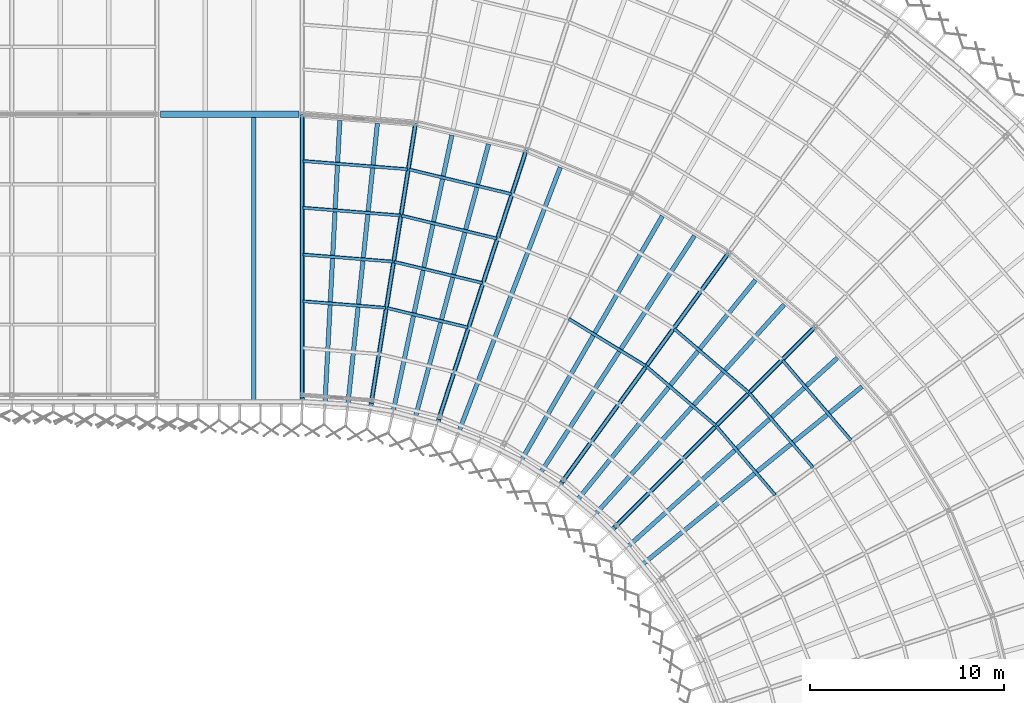
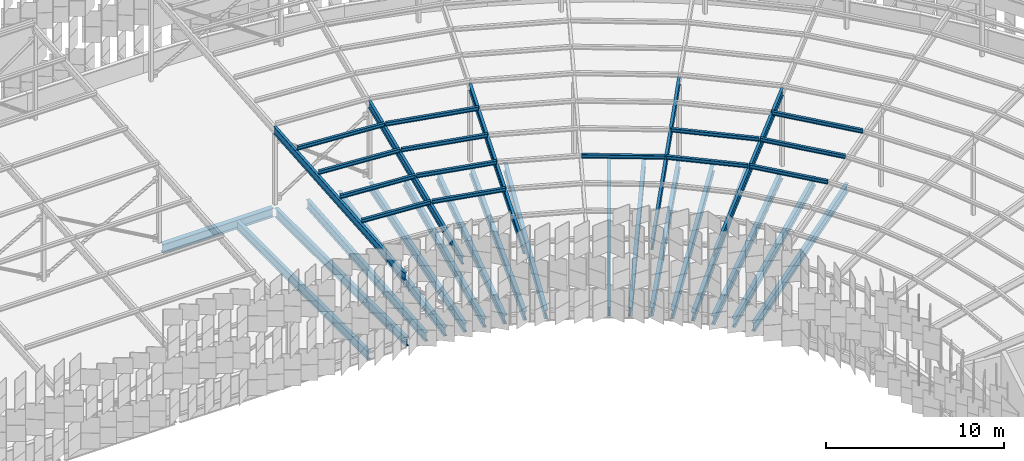
# One storey, part 84 of 483: 19 members, 18 beams.
"""IFC4 building model written with IfcOpenShell, lengths in metres."""

from ifc_helpers import new_model, si_unit, direction, frame, origin, origin_2d, place, context, subcontext, project, spatial, i_section, extrude, material, material_profile, profile_set, type_object, element, save


model = new_model("IFC4")

# Units and contexts
model_context = context("Model", 3, precision=1e-05, world=origin(), true_north=direction((0.0, 1.0)))
body_context = subcontext(model_context, "Body", "Model", "MODEL_VIEW")
ifc_project = project(units=[si_unit("LENGTHUNIT", "METRE"), si_unit("AREAUNIT", "SQUARE_METRE"), si_unit("VOLUMEUNIT", "CUBIC_METRE"), si_unit("PLANEANGLEUNIT", "RADIAN"), si_unit("MASSUNIT", "GRAM", prefix="KILO")], contexts=[model_context])

# Site, building, storey
site_placement = place(None, origin())
site = spatial("IfcSite", under=ifc_project, at=site_placement, CompositionType="ELEMENT")
building_placement = place(site_placement, origin())
building = spatial("IfcBuilding", under=site, at=building_placement, Name="Parallax Yard Mobility Hub", CompositionType="ELEMENT")
storey_placement = place(building_placement, frame((0.0, 0.0, 13.199951171875)))
storey = spatial("IfcBuildingStorey", under=building, at=storey_placement, Name="L04", CompositionType="ELEMENT", Elevation=13.199951171875)

# Members
ifc_material = material(Name="Steel ASTM A992", Category="steel")
ifc_material_profile_1 = material_profile(ifc_material, i_section(OverallWidth=0.14794921875, OverallDepth=0.26611328125, WebThickness=0.007568359375, FlangeThickness=0.012939453125, at=origin_2d()), Name="W250x45")
ifc_profile_set_1 = profile_set([ifc_material_profile_1], Name="Steel ASTM A992")
member_type_1 = type_object("IfcMemberType", Name="Canopy purlin W250x45", PredefinedType="PURLIN", material=ifc_profile_set_1)
member_1_placement = place(storey_placement, frame((172.540771484375, 117.8408203125, 4.688720703125), z_axis=(0.996916930581, -0.078464218091, 0.0), x_axis=(0.078212791542, 0.993722463222, 0.079990157691)))
element("IfcMember", 1, at=member_1_placement, inside=storey, type_object=member_type_1, Name="Canopy purlin sector R0-R1 line 3", PredefinedType="PURLIN", context=body_context, shape_type="SweptSolid", body=[
    extrude(i_section(OverallWidth=0.14794921875, OverallDepth=0.26611328125, WebThickness=0.007568359375, FlangeThickness=0.012939453125, at=origin_2d()), origin(), (0.0, 0.0, 1.0), 4.28759765625),
])
member_2_placement = place(storey_placement, frame((172.540771484375, 120.257568359375, 4.882080078125), z_axis=(0.996916268612, -0.078472628197, 0.0), x_axis=(0.078221174699, 0.993721803374, 0.079990157691)))
element("IfcMember", 2, at=member_2_placement, inside=storey, type_object=member_type_1, Name="Canopy purlin sector R0-R1 line 4", PredefinedType="PURLIN", context=body_context, shape_type="SweptSolid", body=[
    extrude(i_section(OverallWidth=0.14794921875, OverallDepth=0.26611328125, WebThickness=0.007568359375, FlangeThickness=0.012939453125, at=origin_2d()), origin(), (0.0, 0.0, 1.0), 4.666748046875),
])
member_3_placement = place(storey_placement, frame((172.540771484375, 122.67431640625, 5.075439453125), z_axis=(0.99691600404, -0.078475989253, 0.0), x_axis=(0.078224524985, 0.99372153965, 0.079990157691)))
element("IfcMember", 3, at=member_3_placement, inside=storey, type_object=member_type_1, Name="Canopy purlin sector R0-R1 line 5", PredefinedType="PURLIN", context=body_context, shape_type="SweptSolid", body=[
    extrude(i_section(OverallWidth=0.14794921875, OverallDepth=0.26611328125, WebThickness=0.007568359375, FlangeThickness=0.012939453125, at=origin_2d()), origin(), (0.0, 0.0, 1.0), 5.046142578125),
])
member_4_placement = place(storey_placement, frame((172.540771484375, 125.0908203125, 5.2685546875), z_axis=(0.996915499289, -0.078482401064, 0.0), x_axis=(0.07823091625, 0.993721036516, 0.079990157691)))
element("IfcMember", 4, at=member_4_placement, inside=storey, type_object=member_type_1, Name="Canopy purlin sector R0-R1 line 6", PredefinedType="PURLIN", context=body_context, shape_type="SweptSolid", body=[
    extrude(i_section(OverallWidth=0.14794921875, OverallDepth=0.26611328125, WebThickness=0.007568359375, FlangeThickness=0.012939453125, at=origin_2d()), origin(), (0.0, 0.0, 1.0), 5.42529296875),
])
member_5_placement = place(storey_placement, frame((176.8955078125, 117.49169921875, 4.688720703125), z_axis=(0.972367658047, -0.233454787023, 0.0), x_axis=(0.232706716974, 0.969251855065, 0.079990157691)))
element("IfcMember", 5, at=member_5_placement, inside=storey, type_object=member_type_1, Name="Canopy purlin sector R1-R2 line 3", PredefinedType="PURLIN", context=body_context, shape_type="SweptSolid", body=[
    extrude(i_section(OverallWidth=0.14794921875, OverallDepth=0.26611328125, WebThickness=0.007568359375, FlangeThickness=0.012939453125, at=origin_2d()), origin(), (0.0, 0.0, 1.0), 4.28759765625),
])
member_6_placement = place(storey_placement, frame((177.2734375, 119.878662109375, 4.882080078125), z_axis=(0.97237400407, -0.233428353481, 0.0), x_axis=(0.232680368135, 0.969258180753, 0.079990157691)))
element("IfcMember", 6, at=member_6_placement, inside=storey, type_object=member_type_1, Name="Canopy purlin sector R1-R2 line 4", PredefinedType="PURLIN", context=body_context, shape_type="SweptSolid", body=[
    extrude(i_section(OverallWidth=0.14794921875, OverallDepth=0.26611328125, WebThickness=0.007568359375, FlangeThickness=0.012939453125, at=origin_2d()), origin(), (0.0, 0.0, 1.0), 4.666748046875),
])
member_7_placement = place(storey_placement, frame((177.651611328125, 122.265380859375, 5.075439453125), z_axis=(0.972368413759, -0.233451639368, 0.0), x_axis=(0.232703579406, 0.969252608356, 0.079990157691)))
element("IfcMember", 7, at=member_7_placement, inside=storey, type_object=member_type_1, Name="Canopy purlin sector R1-R2 line 5", PredefinedType="PURLIN", context=body_context, shape_type="SweptSolid", body=[
    extrude(i_section(OverallWidth=0.14794921875, OverallDepth=0.26611328125, WebThickness=0.007568359375, FlangeThickness=0.012939453125, at=origin_2d()), origin(), (0.0, 0.0, 1.0), 5.0458984375),
])
member_8_placement = place(storey_placement, frame((178.029541015625, 124.65234375, 5.2685546875), z_axis=(0.972376271966, -0.233418906085, 0.0), x_axis=(0.232670951011, 0.969260441382, 0.079990157691)))
element("IfcMember", 8, at=member_8_placement, inside=storey, type_object=member_type_1, Name="Canopy purlin sector R1-R2 line 6", PredefinedType="PURLIN", context=body_context, shape_type="SweptSolid", body=[
    extrude(i_section(OverallWidth=0.14794921875, OverallDepth=0.26611328125, WebThickness=0.007568359375, FlangeThickness=0.012939453125, at=origin_2d()), origin(), (0.0, 0.0, 1.0), 5.42529296875),
])
for number, where, z_axis, x_axis, name in (
    (9, (186.27294921875, 116.941162109375, 4.882080078125), (0.85262681521, -0.522520347915, 0.0), (0.520846011624, 0.849894703389, 0.079990157691), "Canopy purlin sector R3-R4 line 4"),
    (10, (190.31787109375, 114.454833984375, 4.882080078125), (0.760407587133, -0.649446149754, 0.0), (0.647365099204, 0.75797097768, 0.079990157691), "Canopy purlin sector R4-R5 line 4"),
):
    element("IfcMember", number, at=place(storey_placement, frame(where, z_axis=z_axis, x_axis=x_axis)), inside=storey, type_object=member_type_1, Name=name, PredefinedType="PURLIN", context=body_context, shape_type="SweptSolid", body=[
        extrude(i_section(OverallWidth=0.14794921875, OverallDepth=0.26611328125, WebThickness=0.007568359375, FlangeThickness=0.012939453125, at=origin_2d()), origin(), (0.0, 0.0, 1.0), 4.666748046875),
    ])
member_9_placement = place(storey_placement, frame((191.73828125, 116.409912109375, 5.075439453125), z_axis=(0.760399563218, -0.649455544482, 0.0), x_axis=(0.647374463827, 0.757962979476, 0.079990157691)))
element("IfcMember", 11, at=member_9_placement, inside=storey, type_object=member_type_1, Name="Canopy purlin sector R4-R5 line 5", PredefinedType="PURLIN", context=body_context, shape_type="SweptSolid", body=[
    extrude(i_section(OverallWidth=0.14794921875, OverallDepth=0.26611328125, WebThickness=0.007568359375, FlangeThickness=0.012939453125, at=origin_2d()), origin(), (0.0, 0.0, 1.0), 5.0458984375),
])
member_10_placement = place(storey_placement, frame((193.924072265625, 111.366455078125, 4.882080078125), z_axis=(0.649446149754, -0.760407587133, 0.0), x_axis=(0.75797097768, 0.647365099204, 0.079990157691)))
element("IfcMember", 12, at=member_10_placement, inside=storey, type_object=member_type_1, Name="Canopy purlin sector R5-R6 line 4", PredefinedType="PURLIN", context=body_context, shape_type="SweptSolid", body=[
    extrude(i_section(OverallWidth=0.14794921875, OverallDepth=0.26611328125, WebThickness=0.007568359375, FlangeThickness=0.012939453125, at=origin_2d()), origin(), (0.0, 0.0, 1.0), 4.666748046875),
])
member_11_placement = place(storey_placement, frame((195.6328125, 113.0751953125, 5.075439453125), z_axis=(0.649455544482, -0.760399563218, 0.0), x_axis=(0.757962979476, 0.647374463827, 0.079990157691)))
element("IfcMember", 13, at=member_11_placement, inside=storey, type_object=member_type_1, Name="Canopy purlin sector R5-R6 line 5", PredefinedType="PURLIN", context=body_context, shape_type="SweptSolid", body=[
    extrude(i_section(OverallWidth=0.14794921875, OverallDepth=0.26611328125, WebThickness=0.007568359375, FlangeThickness=0.012939453125, at=origin_2d()), origin(), (0.0, 0.0, 1.0), 5.0458984375),
])
member_12_placement = place(storey_placement, frame((197.341796875, 114.7841796875, 5.2685546875), z_axis=(0.649415380882, -0.760433865023, 0.0), x_axis=(0.757997171367, 0.647334428926, 0.079990157691)))
element("IfcMember", 14, at=member_12_placement, inside=storey, type_object=member_type_1, Name="Canopy purlin sector R5-R6 line 6", PredefinedType="PURLIN", context=body_context, shape_type="SweptSolid", body=[
    extrude(i_section(OverallWidth=0.14794921875, OverallDepth=0.26611328125, WebThickness=0.007568359375, FlangeThickness=0.012939453125, at=origin_2d()), origin(), (0.0, 0.0, 1.0), 5.42529296875),
])
ifc_material_profile_2 = material_profile(ifc_material, i_section(OverallWidth=0.166015625, OverallDepth=0.529052734375, WebThickness=0.009765625, FlangeThickness=0.013671875, at=origin_2d()), Name="W530x74")
ifc_profile_set_2 = profile_set([ifc_material_profile_2], Name="Steel ASTM A992")
member_type_2 = type_object("IfcMemberType", Name="Canopy rafter W530x74", PredefinedType="RAFTER", material=ifc_profile_set_2)
for number, where, z_axis, x_axis, name in (
    (15, (172.5, 112.87109375, 3.89501953125), (0.0, 0.996814591838, 0.079753805543), (-1.0, 0.0, 0.0), "Canopy rafter R0 inner span"),
    (16, (176.077880859375, 112.589599609375, 3.89501953125), (0.155936629743, 0.984542051236, 0.079754102418), (-0.987688264957, 0.156434942601, 0.0), "Canopy rafter R1 inner span"),
):
    element("IfcMember", number, at=place(storey_placement, frame(where, z_axis=z_axis, x_axis=x_axis)), inside=storey, type_object=member_type_2, Name=name, PredefinedType="RAFTER", context=body_context, shape_type="SweptSolid", body=[
        extrude(i_section(OverallWidth=0.166015625, OverallDepth=0.529052734375, WebThickness=0.009765625, FlangeThickness=0.013671875, at=origin_2d()), origin(), (0.0, 0.0, 1.0), 14.69677734375),
    ])
member_13_placement = place(storey_placement, frame((179.5673828125, 111.751708984375, 3.89501953125), z_axis=(0.30803016822, 0.948027918907, 0.079752620268), x_axis=(-0.951057334512, 0.30901447615, 0.0)))
element("IfcMember", 17, at=member_13_placement, inside=storey, type_object=member_type_2, Name="Canopy rafter R2 inner span", PredefinedType="RAFTER", context=body_context, shape_type="SweptSolid", body=[
    extrude(i_section(OverallWidth=0.166015625, OverallDepth=0.529052734375, WebThickness=0.009765625, FlangeThickness=0.013671875, at=origin_2d()), origin(), (0.0, 0.0, 1.0), 14.697021484375),
])
member_14_placement = place(storey_placement, frame((185.943359375, 108.503173828125, 3.89501953125), z_axis=(0.585904923416, 0.806445716251, 0.079754168906), x_axis=(-0.809022807625, 0.587777250957, 0.0)))
element("IfcMember", 18, at=member_14_placement, inside=storey, type_object=member_type_2, Name="Canopy rafter R4 inner span", PredefinedType="RAFTER", context=body_context, shape_type="SweptSolid", body=[
    extrude(i_section(OverallWidth=0.166015625, OverallDepth=0.529052734375, WebThickness=0.009765625, FlangeThickness=0.013671875, at=origin_2d()), origin(), (0.0, 0.0, 1.0), 14.696533203125),
])
member_15_placement = place(storey_placement, frame((188.67236328125, 106.17236328125, 3.89501953125), z_axis=(0.704854394508, 0.704854394508, 0.079753150952), x_axis=(-0.707106781187, 0.707106781187, 0.0)))
element("IfcMember", 19, at=member_15_placement, inside=storey, type_object=member_type_2, Name="Canopy rafter R5 inner span", PredefinedType="RAFTER", context=body_context, shape_type="SweptSolid", body=[
    extrude(i_section(OverallWidth=0.166015625, OverallDepth=0.529052734375, WebThickness=0.009765625, FlangeThickness=0.013671875, at=origin_2d()), origin(), (0.0, 0.0, 1.0), 14.69677734375),
])

# Beams
ifc_material_profile_3 = material_profile(ifc_material, i_section(OverallWidth=0.22802734375, OverallDepth=0.60205078125, WebThickness=0.010498046875, FlangeThickness=0.014892578125, FilletRadius=0.0126953125, at=origin_2d()), Name="W610x101")
ifc_profile_set_3 = profile_set([ifc_material_profile_3], Name="Steel ASTM A992")
beam_type_1 = type_object("IfcBeamType", Name="W610x101 secondary beam", PredefinedType="JOIST", material=ifc_profile_set_3)
beam_1_placement = place(storey_placement, frame((170.0, 112.6044921875, -0.44091796875), z_axis=(0.0, 1.0, 0.0), x_axis=(-1.0, 0.0, 0.0)))
element("IfcBeam", 20, at=beam_1_placement, inside=storey, type_object=beam_type_1, Name="Secondary beam B3 level L04, 5 m east of line 23 of ramped parking decks, span 1", PredefinedType="JOIST", context=body_context, shape_type="SweptSolid", body=[
    extrude(i_section(OverallWidth=0.22802734375, OverallDepth=0.60205078125, WebThickness=0.010498046875, FlangeThickness=0.014892578125, FilletRadius=0.0126953125, at=origin_2d()), origin(), (0.0, 0.0, 1.0), 14.73291015625),
])
for number, where, z_axis, x_axis, name in (
    (21, (177.18896484375, 112.06005859375, -0.44091796875), (0.207911657875, 0.978147607736, 0.0), (-0.978147607736, 0.207911657875, 0.0), "Secondary beam B3 level L04, radial at 12 degrees of ramped parking decks, span 1"),
    (22, (178.337158203125, 111.784423828125, -0.44091796875), (0.258813386129, 0.965927342589, 0.0), (-0.965927342589, 0.258813386129, 0.0), "Secondary beam B3 level L04, radial at 15 degrees of ramped parking decks, span 1"),
    (23, (180.582275390625, 111.054931640625, -0.44091796875), (0.358354982937, 0.933585403808, 0.0), (-0.933585403808, 0.358354982937, 0.0), "Secondary beam B3 level L04, radial at 21 degrees of ramped parking decks, span 1"),
    (24, (173.680419921875, 112.52197265625, -0.44091796875), (0.052331034694, 0.99862979267, 0.0), (-0.99862979267, 0.052331034694, 0.0), "Secondary beam B3 level L04, radial at 3 degrees of ramped parking decks, span 1"),
):
    element("IfcBeam", number, at=place(storey_placement, frame(where, z_axis=z_axis, x_axis=x_axis)), inside=storey, type_object=beam_type_1, Name=name, PredefinedType="JOIST", context=body_context, shape_type="SweptSolid", body=[
        extrude(i_section(OverallWidth=0.22802734375, OverallDepth=0.60205078125, WebThickness=0.010498046875, FlangeThickness=0.014892578125, FilletRadius=0.0126953125, at=origin_2d()), origin(), (0.0, 0.0, 1.0), 14.681640625),
    ])
beam_2_placement = place(storey_placement, frame((183.7763671875, 109.53125, -0.44091796875), z_axis=(0.499994986164, 0.866028298505, 0.0), x_axis=(-0.866028298505, 0.499994986164, 0.0)))
element("IfcBeam", 25, at=beam_2_placement, inside=storey, type_object=beam_type_1, Name="Secondary beam B3 level L04, radial at 30 degrees of ramped parking decks, span 1", PredefinedType="JOIST", context=body_context, shape_type="SweptSolid", body=[
    extrude(i_section(OverallWidth=0.22802734375, OverallDepth=0.60205078125, WebThickness=0.010498046875, FlangeThickness=0.014892578125, FilletRadius=0.0126953125, at=origin_2d()), origin(), (0.0, 0.0, 1.0), 14.681884765625),
])
beam_3_placement = place(storey_placement, frame((184.783203125, 108.914306640625, -0.44091796875), z_axis=(0.544628836303, 0.838677190978, 0.0), x_axis=(-0.838677190978, 0.544628836303, 0.0)))
element("IfcBeam", 26, at=beam_3_placement, inside=storey, type_object=beam_type_1, Name="Secondary beam B3 level L04, radial at 33 degrees of ramped parking decks, span 1", PredefinedType="JOIST", context=body_context, shape_type="SweptSolid", body=[
    extrude(i_section(OverallWidth=0.22802734375, OverallDepth=0.60205078125, WebThickness=0.010498046875, FlangeThickness=0.014892578125, FilletRadius=0.0126953125, at=origin_2d()), origin(), (0.0, 0.0, 1.0), 14.681640625),
])
beam_4_placement = place(storey_placement, frame((186.693115234375, 107.52685546875, -0.44091796875), z_axis=(0.629317812071, 0.777148049865, 0.0), x_axis=(-0.777148049865, 0.629317812071, 0.0)))
element("IfcBeam", 27, at=beam_4_placement, inside=storey, type_object=beam_type_1, Name="Secondary beam B3 level L04, radial at 39 degrees of ramped parking decks, span 1", PredefinedType="JOIST", context=body_context, shape_type="SweptSolid", body=[
    extrude(i_section(OverallWidth=0.22802734375, OverallDepth=0.60205078125, WebThickness=0.010498046875, FlangeThickness=0.014892578125, FilletRadius=0.0126953125, at=origin_2d()), origin(), (0.0, 0.0, 1.0), 14.681884765625),
])
for number, where, z_axis, x_axis, name in (
    (28, (187.5908203125, 106.760009765625, -0.44091796875), (0.669130085287, 0.743145294652, 0.0), (-0.743145294652, 0.669130085287, 0.0), "Secondary beam B3 level L04, radial at 42 degrees of ramped parking decks, span 1"),
    (29, (189.260009765625, 105.0908203125, -0.44091796875), (0.743145294652, 0.669130085287, 0.0), (-0.669130085287, 0.743145294652, 0.0), "Secondary beam B3 level L04, radial at 48 degrees of ramped parking decks, span 1"),
):
    element("IfcBeam", number, at=place(storey_placement, frame(where, z_axis=z_axis, x_axis=x_axis)), inside=storey, type_object=beam_type_1, Name=name, PredefinedType="JOIST", context=body_context, shape_type="SweptSolid", body=[
        extrude(i_section(OverallWidth=0.22802734375, OverallDepth=0.60205078125, WebThickness=0.010498046875, FlangeThickness=0.014892578125, FilletRadius=0.0126953125, at=origin_2d()), origin(), (0.0, 0.0, 1.0), 14.681640625),
    ])
for number, where, z_axis, x_axis, name in (
    (30, (190.02685546875, 104.193115234375, -0.44091796875), (0.777148049865, 0.629317812071, 0.0), (-0.629317812071, 0.777148049865, 0.0), "Secondary beam B3 level L04, radial at 51 degrees of ramped parking decks, span 1"),
    (31, (174.857421875, 112.42919921875, -0.44091796875), (0.104527244507, 0.994522023464, 0.0), (-0.994522023464, 0.104527244507, 0.0), "Secondary beam B3 level L04, radial at 6 degrees of ramped parking decks, span 1"),
):
    element("IfcBeam", number, at=place(storey_placement, frame(where, z_axis=z_axis, x_axis=x_axis)), inside=storey, type_object=beam_type_1, Name=name, PredefinedType="JOIST", context=body_context, shape_type="SweptSolid", body=[
        extrude(i_section(OverallWidth=0.22802734375, OverallDepth=0.60205078125, WebThickness=0.010498046875, FlangeThickness=0.014892578125, FilletRadius=0.0126953125, at=origin_2d()), origin(), (0.0, 0.0, 1.0), 14.681884765625),
    ])
ifc_material_profile_4 = material_profile(ifc_material, i_section(OverallWidth=0.22900390625, OverallDepth=0.612060546875, WebThickness=0.011962890625, FlangeThickness=0.01953125, FilletRadius=0.0126953125, at=origin_2d()), Name="W610x125")
ifc_profile_set_4 = profile_set([ifc_material_profile_4], Name="Steel ASTM A992")
beam_type_2 = type_object("IfcBeamType", Name="W610x125 girder", PredefinedType="BEAM", material=ifc_profile_set_4)
beam_5_placement = place(storey_placement, frame((172.5, 112.653564453125, -0.446044921875), z_axis=(0.0, 1.0, 0.0), x_axis=(-1.0, 0.0, 0.0)))
element("IfcBeam", 32, at=beam_5_placement, inside=storey, type_object=beam_type_2, Name="Girder G3 level L04, line 24 of ramped parking decks, span 1", PredefinedType="BEAM", context=body_context, shape_type="SweptSolid", body=[
    extrude(i_section(OverallWidth=0.22900390625, OverallDepth=0.612060546875, WebThickness=0.011962890625, FlangeThickness=0.01953125, FilletRadius=0.0126953125, at=origin_2d()), origin(), (0.0, 0.0, 1.0), 14.682373046875),
])
beam_6_placement = place(storey_placement, frame((179.500244140625, 111.544921875, -0.446044921875), z_axis=(0.309020272796, 0.951055451065, 0.0), x_axis=(-0.951055451065, 0.309020272796, 0.0)))
element("IfcBeam", 33, at=beam_6_placement, inside=storey, type_object=beam_type_2, Name="Girder G3 level L04, radial R2 of ramped parking decks, span 1", PredefinedType="BEAM", context=body_context, shape_type="SweptSolid", body=[
    extrude(i_section(OverallWidth=0.22900390625, OverallDepth=0.612060546875, WebThickness=0.011962890625, FlangeThickness=0.01953125, FilletRadius=0.0126953125, at=origin_2d()), origin(), (0.0, 0.0, 1.0), 14.68212890625),
])
beam_7_placement = place(storey_placement, frame((185.8154296875, 108.3271484375, -0.446044921875), z_axis=(0.587790981089, 0.809012832129, 0.0), x_axis=(-0.809012832129, 0.587790981089, 0.0)))
element("IfcBeam", 34, at=beam_7_placement, inside=storey, type_object=beam_type_2, Name="Girder G3 level L04, radial R4 of ramped parking decks, span 1", PredefinedType="BEAM", context=body_context, shape_type="SweptSolid", body=[
    extrude(i_section(OverallWidth=0.22900390625, OverallDepth=0.612060546875, WebThickness=0.011962890625, FlangeThickness=0.01953125, FilletRadius=0.0126953125, at=origin_2d()), origin(), (0.0, 0.0, 1.0), 14.682373046875),
])
beam_8_placement = place(storey_placement, frame((176.019775390625, 112.222900390625, -0.446044921875), z_axis=(0.156430706831, 0.98768893583, 0.0), x_axis=(-0.98768893583, 0.156430706831, 0.0)))
element("IfcBeam", 35, at=beam_8_placement, inside=storey, type_object=beam_type_2, Name="Girder G3 level L04, radial R1 of ramped parking decks, span 2", PredefinedType="BEAM", context=body_context, shape_type="SweptSolid", body=[
    extrude(i_section(OverallWidth=0.22900390625, OverallDepth=0.612060546875, WebThickness=0.011962890625, FlangeThickness=0.01953125, FilletRadius=0.0126953125, at=origin_2d()), origin(), (0.0, 0.0, 1.0), 14.8359375),
])
beam_9_placement = place(storey_placement, frame((188.409912109375, 105.909912109375, -0.446044921875), z_axis=(0.707106781187, 0.707106781187, 0.0), x_axis=(-0.707106781187, 0.707106781187, 0.0)))
element("IfcBeam", 36, at=beam_9_placement, inside=storey, type_object=beam_type_2, Name="Girder G3 level L04, radial R5 of ramped parking decks, span 2", PredefinedType="BEAM", context=body_context, shape_type="SweptSolid", body=[
    extrude(i_section(OverallWidth=0.22900390625, OverallDepth=0.612060546875, WebThickness=0.011962890625, FlangeThickness=0.01953125, FilletRadius=0.0126953125, at=origin_2d()), origin(), (0.0, 0.0, 1.0), 14.835693359375),
])
ifc_material_profile_5 = material_profile(ifc_material, i_section(OverallWidth=0.324951171875, OverallDepth=0.612060546875, WebThickness=0.0126953125, FlangeThickness=0.01904296875, FilletRadius=0.0126953125, at=origin_2d()), Name="W610x155")
ifc_profile_set_5 = profile_set([ifc_material_profile_5], Name="Steel ASTM A992")
beam_type_3 = type_object("IfcBeamType", Name="W610x155 longitudinal beam", PredefinedType="BEAM", material=ifc_profile_set_5)
beam_10_placement = place(storey_placement, frame((165.1865234375, 127.5, -0.446044921875), z_axis=(1.0, 0.0, 0.0), x_axis=(0.0, 1.0, 0.0)))
element("IfcBeam", 37, at=beam_10_placement, inside=storey, type_object=beam_type_3, Name="Longitudinal beam SB8 level L04, line T of ramped parking decks, span 19", PredefinedType="BEAM", context=body_context, shape_type="SweptSolid", body=[
    extrude(i_section(OverallWidth=0.324951171875, OverallDepth=0.612060546875, WebThickness=0.0126953125, FlangeThickness=0.01904296875, FilletRadius=0.0126953125, at=origin_2d()), origin(), (0.0, 0.0, 1.0), 7.158447265625),
])

save(model, "model.ifc")
